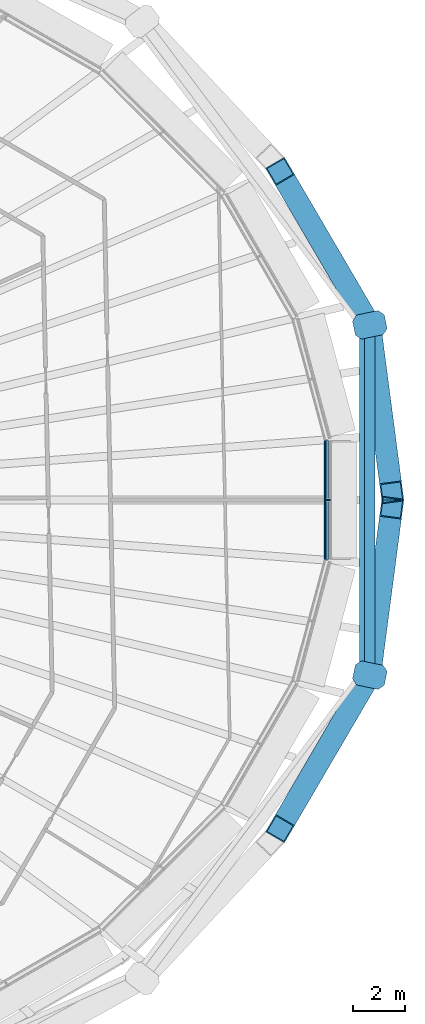
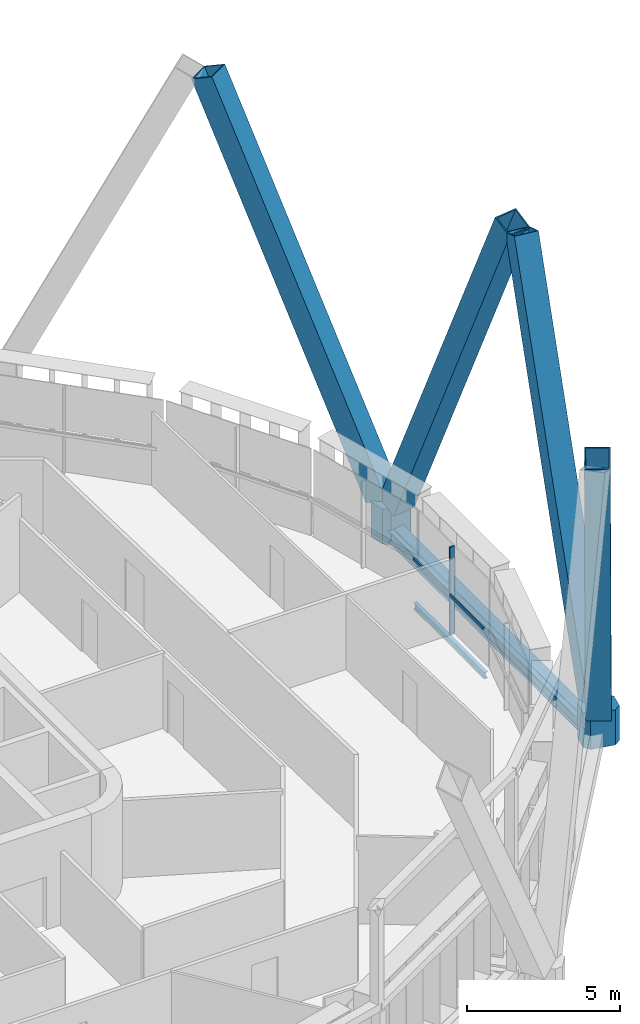
# One storey, part 11 of 25: 8 members, 3 beams, 1 element without a shape of its own.
"""IFC4 building model written with IfcOpenShell, lengths in metres."""

from ifc_helpers import new_model, si_unit, direction, frame, origin, origin_2d, place, context, subcontext, project, spatial, polyline, rectangle, hollow_rectangle, i_section, outline, extrude, material, layer, layer_set, material_profile, profile_set, type_object, element, aggregate, save


model = new_model("IFC4")

# Units and contexts
model_context = context("Model", 3, precision=1e-05, world=origin(), true_north=direction((0.0, 1.0)))
body_context = subcontext(model_context, "Body", "Model", "MODEL_VIEW")
ifc_project = project(units=[si_unit("LENGTHUNIT", "METRE"), si_unit("AREAUNIT", "SQUARE_METRE"), si_unit("VOLUMEUNIT", "CUBIC_METRE"), si_unit("PLANEANGLEUNIT", "RADIAN"), si_unit("MASSUNIT", "GRAM", prefix="KILO")], contexts=[model_context])

# Site, building, storey
site_placement = place(None, origin())
site = spatial("IfcSite", under=ifc_project, at=site_placement, CompositionType="ELEMENT")
building_placement = place(site_placement, origin())
building = spatial("IfcBuilding", under=site, at=building_placement, Name="Sahrelin Media Tower", CompositionType="ELEMENT")
storey_placement = place(building_placement, frame((0.0, 0.0, 165.60009765625)))
storey = spatial("IfcBuildingStorey", under=building, at=storey_placement, Name="L34", CompositionType="ELEMENT", Elevation=165.60009765625)

# Members
ifc_material_1 = material(Name="Steel S460", Category="steel")
ifc_material_profile_1 = material_profile(ifc_material_1, hollow_rectangle(XDim=0.85009765625, YDim=0.85009765625, WallThickness=0.044921875, at=origin_2d()), Name="Diagrid diagonal DG4")
ifc_profile_set_1 = profile_set([ifc_material_profile_1], Name="Steel S460")
member_type_1 = type_object("IfcMemberType", Name="Diagrid diagonal DG4", PredefinedType="BRACE", material=ifc_profile_set_1)
member_1_placement = place(storey_placement, frame((32.83349609375, 6.4677734375, 0.699951171875), z_axis=(0.050992594687, -0.388866604431, 0.919881796344), x_axis=(0.991511602929, 0.130018234324, 0.0)))
element("IfcMember", 1, at=member_1_placement, inside=storey, type_object=member_type_1, Name="Diagrid diagonal D07-00", PredefinedType="BRACE", context=body_context, shape_type="SweptSolid", body=[
    extrude(hollow_rectangle(XDim=0.85009765625, YDim=0.85009765625, WallThickness=0.044921875, at=origin_2d()), origin(), (0.0, 0.0, 1.0), 15.871337890625),
])
for number, where, z_axis, x_axis, name in (
    (2, (32.635986328125, 7.034912109375, 0.699951171875), (-0.206719269203, 0.353451810251, 0.912326126761), (-0.863205372042, -0.504852934702, 0.0), "Diagrid diagonal D07-01"),
    (3, (32.635986328125, -7.034912109375, 0.699951171875), (-0.206719269203, -0.353451810251, 0.912326126761), (0.863205372042, -0.504852934702, 0.0), "Diagrid diagonal D07-22"),
):
    element("IfcMember", number, at=place(storey_placement, frame(where, z_axis=z_axis, x_axis=x_axis)), inside=storey, type_object=member_type_1, Name=name, PredefinedType="BRACE", context=body_context, shape_type="SweptSolid", body=[
        extrude(hollow_rectangle(XDim=0.85009765625, YDim=0.85009765625, WallThickness=0.044921875, at=origin_2d()), origin(), (0.0, 0.0, 1.0), 16.0029296875),
    ])
member_2_placement = place(storey_placement, frame((32.83349609375, -6.4677734375, 0.699951171875), z_axis=(0.050992594687, 0.388866604431, 0.919881796344), x_axis=(-0.991511602929, 0.130018234324, 0.0)))
element("IfcMember", 4, at=member_2_placement, inside=storey, type_object=member_type_1, Name="Diagrid diagonal D07-23", PredefinedType="BRACE", context=body_context, shape_type="SweptSolid", body=[
    extrude(hollow_rectangle(XDim=0.85009765625, YDim=0.85009765625, WallThickness=0.044921875, at=origin_2d()), origin(), (0.0, 0.0, 1.0), 15.871337890625),
])
ifc_material_profile_2 = material_profile(ifc_material_1, outline(polyline([(0.425048828125, -0.47509765625), (0.625, -0.27490234375), (0.625, 0.27490234375), (0.425048828125, 0.47509765625), (-0.425048828125, 0.47509765625), (-0.625, 0.27490234375), (-0.625, -0.27490234375), (-0.425048828125, -0.47509765625), (0.425048828125, -0.47509765625)])), Name="Diagrid node block 1250")
ifc_profile_set_2 = profile_set([ifc_material_profile_2], Name="Steel S460")
member_type_2 = type_object("IfcMemberType", Name="Diagrid node block 1250", PredefinedType="USERDEFINED", material=ifc_profile_set_2)
for number, where, z_axis, x_axis, name in (
    (5, (32.794677734375, 6.763671875, -0.7001953125), (0.0, 0.0, 1.0), (0.979387770926, 0.201989094163, 0.0), "Diagrid node N07-00"),
    (6, (32.794677734375, -6.763671875, -0.7001953125), (0.0, 0.0, 1.0), (0.979387770926, -0.201989094163, 0.0), "Diagrid node N07-11"),
):
    element("IfcMember", number, at=place(storey_placement, frame(where, z_axis=z_axis, x_axis=x_axis)), inside=storey, type_object=member_type_2, Name=name, ObjectType="NODE", PredefinedType="USERDEFINED", context=body_context, shape_type="SweptSolid", body=[
        extrude(outline(polyline([(0.425048828125, -0.47509765625), (0.625, -0.27490234375), (0.625, 0.27490234375), (0.425048828125, 0.47509765625), (-0.425048828125, 0.47509765625), (-0.625, 0.27490234375), (-0.625, -0.27490234375), (-0.425048828125, -0.47509765625), (0.425048828125, -0.47509765625)])), origin(), (0.0, 0.0, 1.0), 1.400146484375),
    ])

# Beams
ifc_material_profile_3 = material_profile(ifc_material_1, hollow_rectangle(XDim=0.39990234375, YDim=0.60009765625, WallThickness=0.030029296875, at=origin_2d()), Name="Diagrid ring beam RB1")
ifc_profile_set_3 = profile_set([ifc_material_profile_3], Name="Steel S460")
beam_type_1 = type_object("IfcBeamType", Name="Diagrid ring beam RB1", PredefinedType="BEAM", material=ifc_profile_set_3)
beam_1_placement = place(storey_placement, frame((32.794677734375, -6.763671875, -0.4501953125), z_axis=(0.0, 1.0, 0.0), x_axis=(-1.0, 0.0, 0.0)))
element("IfcBeam", 7, at=beam_1_placement, inside=storey, type_object=beam_type_1, Name="Diagrid ring beam RB07-11", PredefinedType="BEAM", context=body_context, shape_type="SweptSolid", body=[
    extrude(hollow_rectangle(XDim=0.39990234375, YDim=0.60009765625, WallThickness=0.030029296875, at=origin_2d()), origin(), (0.0, 0.0, 1.0), 13.52734375),
])
ifc_material_2 = material(Name="Steel S355", Category="steel")
ifc_material_profile_4 = material_profile(ifc_material_2, i_section(OverallWidth=0.14599609375, OverallDepth=0.25146484375, WebThickness=0.006103515625, FlangeThickness=0.008544921875, FilletRadius=0.007568359375, at=origin_2d()), Name="UB 254x146x31")
ifc_profile_set_4 = profile_set([ifc_material_profile_4], Name="Steel S355")
beam_type_2 = type_object("IfcBeamType", Name="Edge beam EB1", PredefinedType="BEAM", material=ifc_profile_set_4)
beam_2_placement = place(storey_placement, frame((31.13427734375, 2.303466796875, -0.27587890625), z_axis=(0.0, -1.0, 0.0), x_axis=(1.0, 0.0, 0.0)))
element("IfcBeam", 8, at=beam_2_placement, inside=storey, type_object=beam_type_2, Name="Edge beam L34-01", PredefinedType="BEAM", context=body_context, shape_type="SweptSolid", body=[
    extrude(i_section(OverallWidth=0.14599609375, OverallDepth=0.25146484375, WebThickness=0.006103515625, FlangeThickness=0.008544921875, FilletRadius=0.007568359375, at=origin_2d()), origin(), (0.0, 0.0, 1.0), 4.60693359375),
])

# Curtain wall, member
ifc_material_3 = material(Name="Champagne anodised aluminium 6063-T6", Category="aluminium")
ifc_layer = layer(ifc_material_3, 0.14990234375)
ifc_layer_set = layer_set([ifc_layer], Name="Tower ribbon curtain wall")
curtain_wall_type = type_object("IfcCurtainWallType", Name="Tower ribbon curtain wall", PredefinedType="NOTDEFINED", material=ifc_layer_set)
curtain_wall_placement = place(storey_placement, frame((31.2841796875, 0.0, 0.0), z_axis=(0.0, 0.0, 1.0), x_axis=(1.0, 0.0, 0.0)))
curtain_wall = element("IfcCurtainWall", 9, at=curtain_wall_placement, inside=storey, type_object=curtain_wall_type, Name="L34:CW:L34-00", PredefinedType="NOTDEFINED")
ifc_material_profile_5 = material_profile(ifc_material_3, rectangle(XDim=0.06005859375, YDim=0.175048828125, at=origin_2d()), Name="Mullion 60x175")
ifc_profile_set_5 = profile_set([ifc_material_profile_5], Name="Champagne anodised aluminium 6063-T6")
member_type_3 = type_object("IfcMemberType", Name="Mullion 60x175 CW1B", PredefinedType="MULLION", material=ifc_profile_set_5)
member_3_placement = place(storey_placement, frame((31.1767578125, 0.0, 0.0), z_axis=(0.0, 0.0, 1.0), x_axis=(0.0, 1.0, 0.0)))
member_3 = element("IfcMember", 10, at=member_3_placement, type_object=member_type_3, Name="L34:CWM:L34-00", PredefinedType="MULLION", context=body_context, shape_type="SweptSolid", body=[
    extrude(rectangle(XDim=0.06005859375, YDim=0.175048828125, at=origin_2d()), origin(), (0.0, 0.0, 1.0), 3.448486328125),
])

# Beam
ifc_material_profile_6 = material_profile(ifc_material_2, i_section(OverallWidth=0.1904296875, OverallDepth=0.45703125, WebThickness=0.009033203125, FlangeThickness=0.014404296875, FilletRadius=0.01025390625, at=origin_2d()), Name="UB 457x191x74")
ifc_profile_set_6 = profile_set([ifc_material_profile_6], Name="Steel S355")
beam_type_3 = type_object("IfcBeamType", Name="Tie chord TC5", PredefinedType="BEAM", material=ifc_profile_set_6)
beam_3_placement = place(storey_placement, frame((32.494384765625, 6.66357421875, -0.378662109375), z_axis=(0.0, -1.0, 0.0), x_axis=(1.0, 0.0, 0.0)))
element("IfcBeam", 11, at=beam_3_placement, inside=storey, type_object=beam_type_3, Name="Tie chord L34-01", PredefinedType="BEAM", context=body_context, shape_type="SweptSolid", body=[
    extrude(i_section(OverallWidth=0.1904296875, OverallDepth=0.45703125, WebThickness=0.009033203125, FlangeThickness=0.014404296875, FilletRadius=0.01025390625, at=origin_2d()), origin(), (0.0, 0.0, 1.0), 13.3271484375),
])

# Member
ifc_material_profile_7 = material_profile(ifc_material_3, rectangle(XDim=0.050048828125, YDim=0.110107421875, at=origin_2d()), Name="Transom 50x110")
ifc_profile_set_7 = profile_set([ifc_material_profile_7], Name="Champagne anodised aluminium 6063-T6")
member_type_4 = type_object("IfcMemberType", Name="Transom 50x110 CW1B", PredefinedType="USERDEFINED", material=ifc_profile_set_7)
member_4_placement = place(storey_placement, frame((31.064208984375, -2.28759765625, 1.599853515625), z_axis=(0.0, 1.0, 0.0), x_axis=(-1.0, 0.0, 0.0)))
member_4 = element("IfcMember", 12, at=member_4_placement, type_object=member_type_4, Name="L34:CWT:L34-00", ObjectType="TRANSOM", PredefinedType="USERDEFINED", context=body_context, shape_type="SweptSolid", body=[
    extrude(rectangle(XDim=0.050048828125, YDim=0.110107421875, at=origin_2d()), origin(), (0.0, 0.0, 1.0), 4.5751953125),
])

aggregate(curtain_wall, [member_3, member_4])

save(model, "model.ifc")
